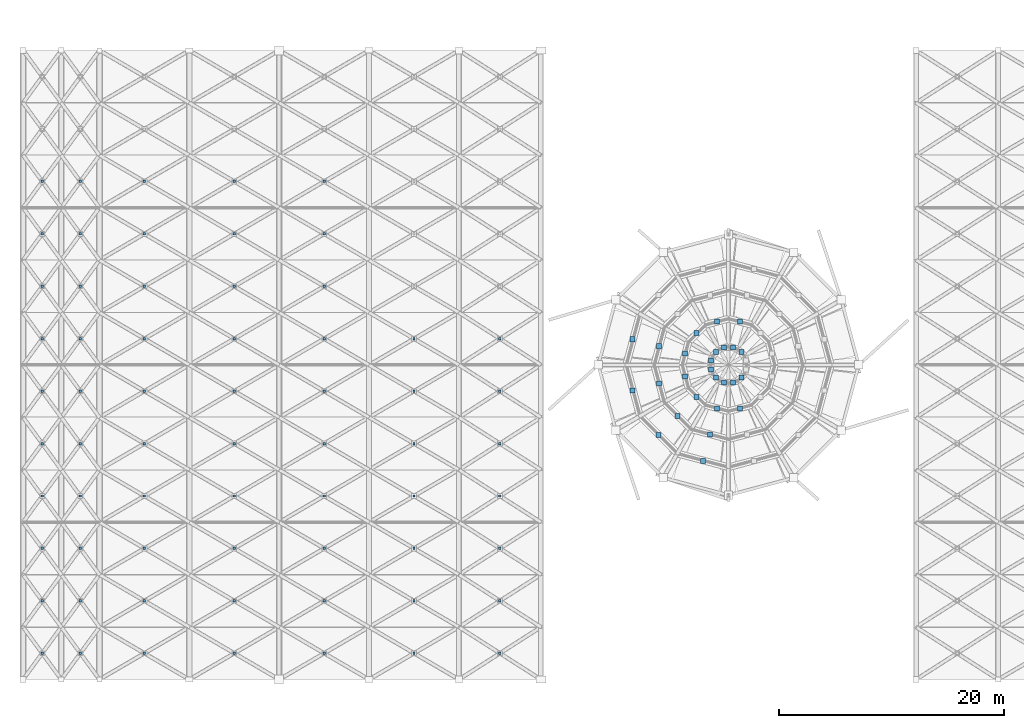
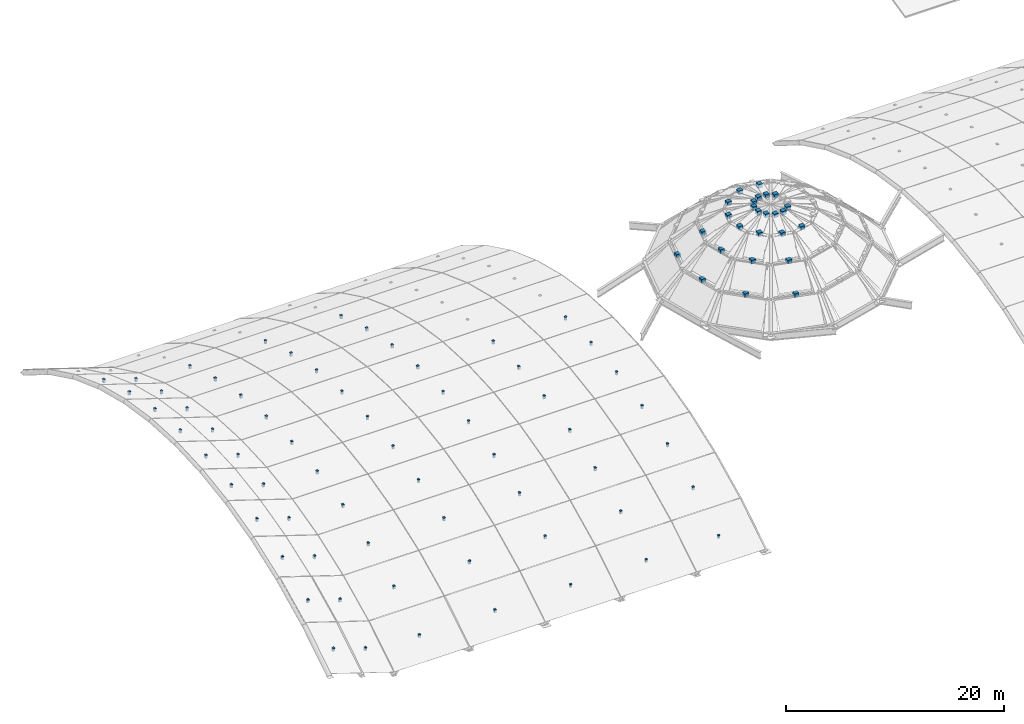
# One storey, part 17 of 21: 90 discrete accessories.
"""IFC4 building model written with IfcOpenShell, lengths in metres."""

from ifc_helpers import new_model, si_unit, direction, frame, origin, origin_2d, place, context, subcontext, project, spatial, rectangle, extrude, material, type_object, element, save


model = new_model("IFC4")

# Units and contexts
model_context = context("Model", 3, precision=1e-05, world=origin(), true_north=direction((0.0, 1.0)))
body_context = subcontext(model_context, "Body", "Model", "MODEL_VIEW")
ifc_project = project(units=[si_unit("LENGTHUNIT", "METRE"), si_unit("AREAUNIT", "SQUARE_METRE"), si_unit("VOLUMEUNIT", "CUBIC_METRE"), si_unit("PLANEANGLEUNIT", "RADIAN"), si_unit("MASSUNIT", "GRAM", prefix="KILO")], contexts=[model_context])

# Site, building, storey
site_placement = place(None, origin())
site = spatial("IfcSite", under=ifc_project, at=site_placement, CompositionType="ELEMENT")
building_placement = place(site_placement, origin())
building = spatial("IfcBuilding", under=site, at=building_placement, Name="Solmirada Galleria", CompositionType="ELEMENT")
storey_placement = place(building_placement, frame((0.0, 0.0, 37.5)))
storey = spatial("IfcBuildingStorey", under=building, at=storey_placement, Name="RF", CompositionType="ELEMENT", Elevation=37.5)

# Discrete accessories
ifc_material = material(Name="Steel S355 / ASTM A500 Grade C", Category="steel")
discrete_accessory_type = type_object("IfcDiscreteAccessoryType", Name="ACC-GLAZ-SHOE", PredefinedType="BRACKET", material=ifc_material)
for number, where, z_axis, x_axis, name in (
    (1, (34.89990234375, 34.333251953125, -6.290771484375), (0.0, 0.0, 1.0), (1.0, 0.0, 0.0), "Barrel gridshell glazing spider bracket W00-00"),
    (2, (34.89990234375, 39.0, -3.697021484375), (0.0, 0.0, 1.0), (1.0, 0.0, 0.0), "Barrel gridshell glazing spider bracket W00-01"),
    (3, (34.89990234375, 43.666748046875, -1.712158203125), (0.0, 0.0, 1.0), (1.0, 0.0, 0.0), "Barrel gridshell glazing spider bracket W00-02"),
    (4, (34.89990234375, 48.333251953125, -0.2705078125), (0.0, 0.0, 1.0), (1.0, 0.0, 0.0), "Barrel gridshell glazing spider bracket W00-03"),
    (5, (34.89990234375, 53.0, 0.669921875), (0.0, 0.0, 1.0), (1.0, 0.0, 0.0), "Barrel gridshell glazing spider bracket W00-04"),
    (6, (34.89990234375, 57.666748046875, 1.134521484375), (0.0, 0.0, 1.0), (1.0, 0.0, 0.0), "Barrel gridshell glazing spider bracket W00-05"),
    (7, (34.89990234375, 62.33349609375, 1.134521484375), (0.0, 0.0, 1.0), (1.0, 0.0, 0.0), "Barrel gridshell glazing spider bracket W00-06"),
    (8, (34.89990234375, 67.0, 0.669921875), (0.0, 0.0, 1.0), (1.0, 0.0, 0.0), "Barrel gridshell glazing spider bracket W00-07"),
    (9, (34.89990234375, 71.666748046875, -0.2705078125), (0.0, 0.0, 1.0), (1.0, 0.0, 0.0), "Barrel gridshell glazing spider bracket W00-08"),
    (10, (34.89990234375, 76.333251953125, -1.712158203125), (0.0, 0.0, 1.0), (1.0, 0.0, 0.0), "Barrel gridshell glazing spider bracket W00-09"),
    (11, (38.300048828125, 34.333251953125, -7.390869140625), (0.0, 0.0, 1.0), (1.0, 0.0, 0.0), "Barrel gridshell glazing spider bracket W01-00"),
    (12, (38.300048828125, 39.0, -4.797119140625), (0.0, 0.0, 1.0), (1.0, 0.0, 0.0), "Barrel gridshell glazing spider bracket W01-01"),
    (13, (38.300048828125, 43.666748046875, -2.812255859375), (0.0, 0.0, 1.0), (1.0, 0.0, 0.0), "Barrel gridshell glazing spider bracket W01-02"),
    (14, (38.300048828125, 48.333251953125, -1.37060546875), (0.0, 0.0, 1.0), (1.0, 0.0, 0.0), "Barrel gridshell glazing spider bracket W01-03"),
    (15, (38.300048828125, 53.0, -0.429931640625), (0.0, 0.0, 1.0), (1.0, 0.0, 0.0), "Barrel gridshell glazing spider bracket W01-04"),
    (16, (38.300048828125, 57.666748046875, 0.034423828125), (0.0, 0.0, 1.0), (1.0, 0.0, 0.0), "Barrel gridshell glazing spider bracket W01-05"),
    (17, (38.300048828125, 62.33349609375, 0.034423828125), (0.0, 0.0, 1.0), (1.0, 0.0, 0.0), "Barrel gridshell glazing spider bracket W01-06"),
    (18, (38.300048828125, 67.0, -0.429931640625), (0.0, 0.0, 1.0), (1.0, 0.0, 0.0), "Barrel gridshell glazing spider bracket W01-07"),
    (19, (38.300048828125, 71.666748046875, -1.37060546875), (0.0, 0.0, 1.0), (1.0, 0.0, 0.0), "Barrel gridshell glazing spider bracket W01-08"),
    (20, (38.300048828125, 76.333251953125, -2.812255859375), (0.0, 0.0, 1.0), (1.0, 0.0, 0.0), "Barrel gridshell glazing spider bracket W01-09"),
    (21, (44.0, 34.333251953125, -7.94091796875), (0.0, 0.0, 1.0), (1.0, 0.0, 0.0), "Barrel gridshell glazing spider bracket W02-00"),
    (22, (44.0, 39.0, -5.34716796875), (0.0, 0.0, 1.0), (1.0, 0.0, 0.0), "Barrel gridshell glazing spider bracket W02-01"),
    (23, (44.0, 43.666748046875, -3.3623046875), (0.0, 0.0, 1.0), (1.0, 0.0, 0.0), "Barrel gridshell glazing spider bracket W02-02"),
    (24, (44.0, 48.333251953125, -1.920654296875), (0.0, 0.0, 1.0), (1.0, 0.0, 0.0), "Barrel gridshell glazing spider bracket W02-03"),
    (25, (44.0, 53.0, -0.97998046875), (0.0, 0.0, 1.0), (1.0, 0.0, 0.0), "Barrel gridshell glazing spider bracket W02-04"),
    (26, (44.0, 57.666748046875, -0.515380859375), (0.0, 0.0, 1.0), (1.0, 0.0, 0.0), "Barrel gridshell glazing spider bracket W02-05"),
    (27, (44.0, 62.33349609375, -0.515380859375), (0.0, 0.0, 1.0), (1.0, 0.0, 0.0), "Barrel gridshell glazing spider bracket W02-06"),
    (28, (44.0, 67.0, -0.97998046875), (0.0, 0.0, 1.0), (1.0, 0.0, 0.0), "Barrel gridshell glazing spider bracket W02-07"),
    (29, (44.0, 71.666748046875, -1.920654296875), (0.0, 0.0, 1.0), (1.0, 0.0, 0.0), "Barrel gridshell glazing spider bracket W02-08"),
    (30, (44.0, 76.333251953125, -3.3623046875), (0.0, 0.0, 1.0), (1.0, 0.0, 0.0), "Barrel gridshell glazing spider bracket W02-09"),
    (31, (52.0, 34.333251953125, -7.94091796875), (0.0, 0.0, 1.0), (1.0, 0.0, 0.0), "Barrel gridshell glazing spider bracket W03-00"),
    (32, (52.0, 39.0, -5.34716796875), (0.0, 0.0, 1.0), (1.0, 0.0, 0.0), "Barrel gridshell glazing spider bracket W03-01"),
    (33, (52.0, 43.666748046875, -3.3623046875), (0.0, 0.0, 1.0), (1.0, 0.0, 0.0), "Barrel gridshell glazing spider bracket W03-02"),
    (34, (52.0, 48.333251953125, -1.920654296875), (0.0, 0.0, 1.0), (1.0, 0.0, 0.0), "Barrel gridshell glazing spider bracket W03-03"),
    (35, (52.0, 53.0, -0.97998046875), (0.0, 0.0, 1.0), (1.0, 0.0, 0.0), "Barrel gridshell glazing spider bracket W03-04"),
    (36, (52.0, 57.666748046875, -0.515380859375), (0.0, 0.0, 1.0), (1.0, 0.0, 0.0), "Barrel gridshell glazing spider bracket W03-05"),
    (37, (52.0, 62.33349609375, -0.515380859375), (0.0, 0.0, 1.0), (1.0, 0.0, 0.0), "Barrel gridshell glazing spider bracket W03-06"),
    (38, (52.0, 67.0, -0.97998046875), (0.0, 0.0, 1.0), (1.0, 0.0, 0.0), "Barrel gridshell glazing spider bracket W03-07"),
    (39, (52.0, 71.666748046875, -1.920654296875), (0.0, 0.0, 1.0), (1.0, 0.0, 0.0), "Barrel gridshell glazing spider bracket W03-08"),
    (40, (52.0, 76.333251953125, -3.3623046875), (0.0, 0.0, 1.0), (1.0, 0.0, 0.0), "Barrel gridshell glazing spider bracket W03-09"),
    (41, (60.0, 34.333251953125, -7.94091796875), (0.0, 0.0, 1.0), (1.0, 0.0, 0.0), "Barrel gridshell glazing spider bracket W04-00"),
    (42, (60.0, 39.0, -5.34716796875), (0.0, 0.0, 1.0), (1.0, 0.0, 0.0), "Barrel gridshell glazing spider bracket W04-01"),
    (43, (60.0, 43.666748046875, -3.3623046875), (0.0, 0.0, 1.0), (1.0, 0.0, 0.0), "Barrel gridshell glazing spider bracket W04-02"),
    (44, (60.0, 48.333251953125, -1.920654296875), (0.0, 0.0, 1.0), (1.0, 0.0, 0.0), "Barrel gridshell glazing spider bracket W04-03"),
    (45, (60.0, 53.0, -0.97998046875), (0.0, 0.0, 1.0), (1.0, 0.0, 0.0), "Barrel gridshell glazing spider bracket W04-04"),
    (46, (60.0, 57.666748046875, -0.515380859375), (0.0, 0.0, 1.0), (1.0, 0.0, 0.0), "Barrel gridshell glazing spider bracket W04-05"),
    (47, (60.0, 62.33349609375, -0.515380859375), (0.0, 0.0, 1.0), (1.0, 0.0, 0.0), "Barrel gridshell glazing spider bracket W04-06"),
    (48, (60.0, 67.0, -0.97998046875), (0.0, 0.0, 1.0), (1.0, 0.0, 0.0), "Barrel gridshell glazing spider bracket W04-07"),
    (49, (60.0, 71.666748046875, -1.920654296875), (0.0, 0.0, 1.0), (1.0, 0.0, 0.0), "Barrel gridshell glazing spider bracket W04-08"),
    (50, (60.0, 76.333251953125, -3.3623046875), (0.0, 0.0, 1.0), (1.0, 0.0, 0.0), "Barrel gridshell glazing spider bracket W04-09"),
    (51, (68.0, 34.333251953125, -7.94091796875), (0.0, 0.0, 1.0), (1.0, 0.0, 0.0), "Barrel gridshell glazing spider bracket W05-00"),
    (52, (68.0, 39.0, -5.34716796875), (0.0, 0.0, 1.0), (1.0, 0.0, 0.0), "Barrel gridshell glazing spider bracket W05-01"),
    (53, (68.0, 43.666748046875, -3.3623046875), (0.0, 0.0, 1.0), (1.0, 0.0, 0.0), "Barrel gridshell glazing spider bracket W05-02"),
    (54, (68.0, 48.333251953125, -1.920654296875), (0.0, 0.0, 1.0), (1.0, 0.0, 0.0), "Barrel gridshell glazing spider bracket W05-03"),
    (55, (68.0, 53.0, -0.97998046875), (0.0, 0.0, 1.0), (1.0, 0.0, 0.0), "Barrel gridshell glazing spider bracket W05-04"),
    (56, (68.0, 57.666748046875, -0.515380859375), (0.0, 0.0, 1.0), (1.0, 0.0, 0.0), "Barrel gridshell glazing spider bracket W05-05"),
    (57, (68.0, 62.33349609375, -0.515380859375), (0.0, 0.0, 1.0), (1.0, 0.0, 0.0), "Barrel gridshell glazing spider bracket W05-06"),
    (58, (75.64990234375, 34.333251953125, -7.94091796875), (0.0, 0.0, 1.0), (1.0, 0.0, 0.0), "Barrel gridshell glazing spider bracket W06-00"),
    (59, (75.64990234375, 39.0, -5.34716796875), (0.0, 0.0, 1.0), (1.0, 0.0, 0.0), "Barrel gridshell glazing spider bracket W06-01"),
    (60, (75.64990234375, 43.666748046875, -3.3623046875), (0.0, 0.0, 1.0), (1.0, 0.0, 0.0), "Barrel gridshell glazing spider bracket W06-02"),
    (61, (75.64990234375, 48.333251953125, -1.920654296875), (0.0, 0.0, 1.0), (1.0, 0.0, 0.0), "Barrel gridshell glazing spider bracket W06-03"),
    (62, (75.64990234375, 53.0, -0.97998046875), (0.0, 0.0, 1.0), (1.0, 0.0, 0.0), "Barrel gridshell glazing spider bracket W06-04"),
    (63, (75.64990234375, 57.666748046875, -0.515380859375), (0.0, 0.0, 1.0), (1.0, 0.0, 0.0), "Barrel gridshell glazing spider bracket W06-05"),
    (64, (75.64990234375, 62.33349609375, -0.515380859375), (0.0, 0.0, 1.0), (1.0, 0.0, 0.0), "Barrel gridshell glazing spider bracket W06-06"),
):
    element("IfcDiscreteAccessory", number, at=place(storey_placement, frame(where, z_axis=z_axis, x_axis=x_axis)), inside=storey, type_object=discrete_accessory_type, Name=name, PredefinedType="BRACKET", context=body_context, shape_type="SweptSolid", body=[
        extrude(rectangle(XDim=0.219970703125, YDim=0.219970703125, at=origin_2d()), origin(), (0.0, 0.0, 1.0), 0.3701171875),
    ])
for number, where, z_axis, x_axis, name in (
    (65, (87.468994140625, 62.285888671875, 2.41748046875), (0.0, 0.0, 1.0), (1.0, 0.0, 0.0), "Atrium dome glazing spider bracket 6.1"),
    (66, (87.468994140625, 57.714111328125, 2.41748046875), (0.0, 0.0, 1.0), (1.0, 0.0, 0.0), "Atrium dome glazing spider bracket 7.1"),
    (67, (89.7548828125, 53.7548828125, 2.41748046875), (0.0, 0.0, 1.0), (1.0, 0.0, 0.0), "Atrium dome glazing spider bracket 8.1"),
    (68, (93.714111328125, 51.468994140625, 2.41748046875), (0.0, 0.0, 1.0), (1.0, 0.0, 0.0), "Atrium dome glazing spider bracket 9.1"),
    (69, (89.7958984375, 61.662353515625, 4.526123046875), (0.0, 0.0, 1.0), (1.0, 0.0, 0.0), "Atrium dome glazing spider bracket 6.2"),
    (70, (89.7958984375, 58.337646484375, 4.526123046875), (0.0, 0.0, 1.0), (1.0, 0.0, 0.0), "Atrium dome glazing spider bracket 7.2"),
    (71, (91.458251953125, 55.458251953125, 4.526123046875), (0.0, 0.0, 1.0), (1.0, 0.0, 0.0), "Atrium dome glazing spider bracket 8.2"),
    (72, (94.337646484375, 53.7958984375, 4.526123046875), (0.0, 0.0, 1.0), (1.0, 0.0, 0.0), "Atrium dome glazing spider bracket 9.2"),
    (73, (97.038818359375, 63.877197265625, 5.935302734375), (0.0, 0.0, 1.0), (1.0, 0.0, 0.0), "Atrium dome glazing spider bracket 3.3"),
    (74, (94.961181640625, 63.877197265625, 5.935302734375), (0.0, 0.0, 1.0), (1.0, 0.0, 0.0), "Atrium dome glazing spider bracket 4.3"),
    (75, (93.161865234375, 62.838134765625, 5.935302734375), (0.0, 0.0, 1.0), (1.0, 0.0, 0.0), "Atrium dome glazing spider bracket 5.3"),
    (76, (92.122802734375, 61.038818359375, 5.935302734375), (0.0, 0.0, 1.0), (1.0, 0.0, 0.0), "Atrium dome glazing spider bracket 6.3"),
    (77, (92.122802734375, 58.961181640625, 5.935302734375), (0.0, 0.0, 1.0), (1.0, 0.0, 0.0), "Atrium dome glazing spider bracket 7.3"),
    (78, (93.161865234375, 57.161865234375, 5.935302734375), (0.0, 0.0, 1.0), (1.0, 0.0, 0.0), "Atrium dome glazing spider bracket 8.3"),
    (79, (94.961181640625, 56.122802734375, 5.935302734375), (0.0, 0.0, 1.0), (1.0, 0.0, 0.0), "Atrium dome glazing spider bracket 9.3"),
    (80, (97.038818359375, 56.122802734375, 5.935302734375), (0.0, 0.0, 1.0), (1.0, 0.0, 0.0), "Atrium dome glazing spider bracket 10.3"),
    (81, (97.134765625, 61.134765625, 6.429931640625), (0.0, 0.0, 1.0), (1.0, 0.0, 0.0), "Atrium dome glazing spider bracket 2.4"),
    (82, (96.415283203125, 61.550048828125, 6.429931640625), (0.0, 0.0, 1.0), (1.0, 0.0, 0.0), "Atrium dome glazing spider bracket 3.4"),
    (83, (95.584716796875, 61.550048828125, 6.429931640625), (0.0, 0.0, 1.0), (1.0, 0.0, 0.0), "Atrium dome glazing spider bracket 4.4"),
    (84, (94.865234375, 61.134765625, 6.429931640625), (0.0, 0.0, 1.0), (1.0, 0.0, 0.0), "Atrium dome glazing spider bracket 5.4"),
    (85, (94.449951171875, 60.415283203125, 6.429931640625), (0.0, 0.0, 1.0), (1.0, 0.0, 0.0), "Atrium dome glazing spider bracket 6.4"),
    (86, (94.449951171875, 59.584716796875, 6.429931640625), (0.0, 0.0, 1.0), (1.0, 0.0, 0.0), "Atrium dome glazing spider bracket 7.4"),
    (87, (94.865234375, 58.865234375, 6.429931640625), (0.0, 0.0, 1.0), (1.0, 0.0, 0.0), "Atrium dome glazing spider bracket 8.4"),
    (88, (95.584716796875, 58.449951171875, 6.429931640625), (0.0, 0.0, 1.0), (1.0, 0.0, 0.0), "Atrium dome glazing spider bracket 9.4"),
    (89, (96.415283203125, 58.449951171875, 6.429931640625), (0.0, 0.0, 1.0), (1.0, 0.0, 0.0), "Atrium dome glazing spider bracket 10.4"),
    (90, (97.134765625, 58.865234375, 6.429931640625), (0.0, 0.0, 1.0), (1.0, 0.0, 0.0), "Atrium dome glazing spider bracket 11.4"),
):
    element("IfcDiscreteAccessory", number, at=place(storey_placement, frame(where, z_axis=z_axis, x_axis=x_axis)), inside=storey, type_object=discrete_accessory_type, Name=name, PredefinedType="BRACKET", context=body_context, shape_type="SweptSolid", body=[
        extrude(rectangle(XDim=0.449951171875, YDim=0.449951171875, at=origin_2d()), origin(), (0.0, 0.0, 1.0), 0.419921875),
    ])

save(model, "model.ifc")
